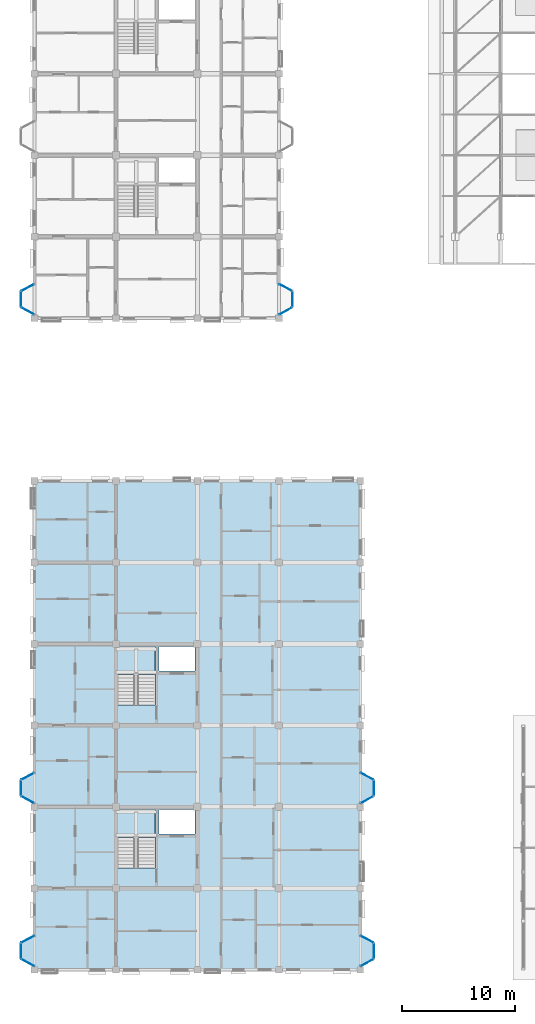
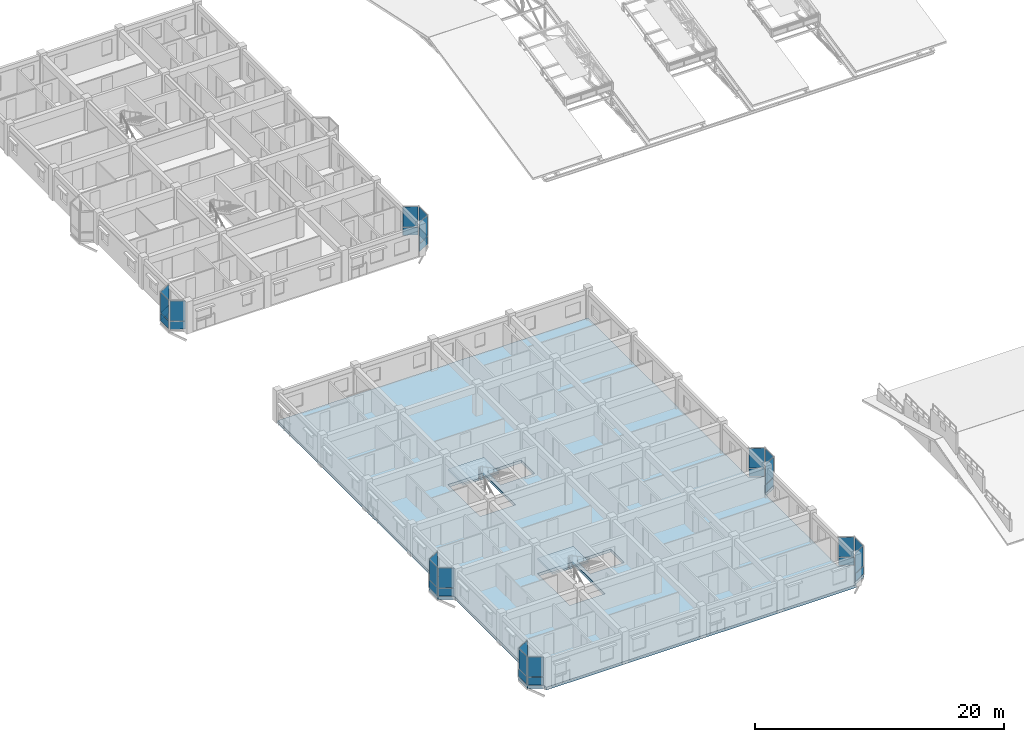
# One storey, part 77 of 124: 36 plates, 3 slabs, 20 elements without a shape of their own.
"""IFC4 building model written with IfcOpenShell, lengths in metres."""

from ifc_helpers import new_model, si_unit, direction, frame, origin, origin_2d, place, context, subcontext, project, spatial, polyline, rectangle, outline, extrude, material, layer, layer_set, type_object, element, aggregate, save


model = new_model("IFC4")

# Units and contexts
model_context = context("Model", 3, precision=1e-05, world=origin(), true_north=direction((0.0, 1.0)))
body_context = subcontext(model_context, "Body", "Model", "MODEL_VIEW")
ifc_project = project(units=[si_unit("LENGTHUNIT", "METRE"), si_unit("AREAUNIT", "SQUARE_METRE"), si_unit("VOLUMEUNIT", "CUBIC_METRE"), si_unit("PLANEANGLEUNIT", "RADIAN"), si_unit("MASSUNIT", "GRAM", prefix="KILO"), si_unit("THERMODYNAMICTEMPERATUREUNIT", "KELVIN"), si_unit("POWERUNIT", "WATT")], contexts=[model_context])

# Site, building, storey
site_placement = place(None, origin())
site = spatial("IfcSite", under=ifc_project, at=site_placement, CompositionType="ELEMENT")
building_placement = place(site_placement, origin())
building = spatial("IfcBuilding", under=site, at=building_placement, Name="Tavuni Mirador Residences", CompositionType="ELEMENT")
storey_placement = place(building_placement, frame((0.0, 0.0, 7.64990234375)))
storey = spatial("IfcBuildingStorey", under=building, at=storey_placement, Name="L02", CompositionType="ELEMENT", Elevation=7.64990234375)

# Curtain wall, plate
ifc_material_1 = material(Name="Anodised aluminium", Category="aluminium")
ifc_layer_1 = layer(ifc_material_1, 0.1650390625, Name="Anodised aluminium", Category="aluminium")
ifc_layer_set_1 = layer_set([ifc_layer_1], Name="Anodised aluminium")
curtain_wall_type_1 = type_object("IfcCurtainWallType", Name="CWT-MIR-A", PredefinedType="NOTDEFINED", material=ifc_layer_set_1)
curtain_wall_1_placement = place(storey_placement, origin())
curtain_wall_1 = element("IfcCurtainWall", 1, at=curtain_wall_1_placement, inside=storey, type_object=curtain_wall_type_1, Name="CW-MIR-A-E2-L02-M1", PredefinedType="NOTDEFINED")
ifc_material_2 = material(Name="Laminated solar-control glass", Category="glass")
ifc_layer_2 = layer(ifc_material_2, 0.02392578125, Name="Laminated solar-control glass", Category="glass")
ifc_layer_set_2 = layer_set([ifc_layer_2], Name="Laminated solar-control glass")
plate_type_1 = type_object("IfcPlateType", Name="CWP-GL24", PredefinedType="CURTAIN_PANEL", material=ifc_layer_set_2)
plate_1_placement = place(storey_placement, frame((33.0, 22.22998046875, 0.88037109375), z_axis=(0.0, 0.0, 1.0), x_axis=(0.876215908676, 0.481918749773, 0.0)))
plate_1 = element("IfcPlate", 2, at=plate_1_placement, type_object=plate_type_1, Name="CW-01 panel 1.2", PredefinedType="CURTAIN_PANEL", context=body_context, shape_type="SweptSolid", body=[
    extrude(rectangle(XDim=1.24951171875, YDim=0.02392578125, at=origin_2d()), origin(), (0.0, 0.0, 1.0), 1.929931640625),
])

curtain_wall_2_placement = place(storey_placement, origin())
curtain_wall_2 = element("IfcCurtainWall", 3, at=curtain_wall_2_placement, inside=storey, type_object=curtain_wall_type_1, Name="CW-MIR-A-W2-L02-MF", PredefinedType="NOTDEFINED")
plate_2_placement = place(storey_placement, frame((2.39990234375, 23.27001953125, 0.88037109375), z_axis=(0.0, 0.0, 1.0), x_axis=(0.0, -1.0, 0.0)))
plate_2 = element("IfcPlate", 4, at=plate_2_placement, type_object=plate_type_1, Name="CW-01 panel 1.2", PredefinedType="CURTAIN_PANEL", context=body_context, shape_type="SweptSolid", body=[
    extrude(rectangle(XDim=1.300048828125, YDim=0.02392578125, at=origin_2d()), origin(), (0.0, 0.0, 1.0), 1.929931640625),
])

curtain_wall_3_placement = place(storey_placement, origin())
curtain_wall_3 = element("IfcCurtainWall", 5, at=curtain_wall_3_placement, inside=storey, type_object=curtain_wall_type_1, Name="CW-MIR-A-W1-L02-M2", PredefinedType="NOTDEFINED")
plate_3_placement = place(storey_placement, frame((3.0, 7.830078125, 0.88037109375), z_axis=(0.0, 0.0, 1.0), x_axis=(0.876215908676, -0.481918749773, 0.0)))
plate_3 = element("IfcPlate", 6, at=plate_3_placement, type_object=plate_type_1, Name="CW-01 panel 1.2", PredefinedType="CURTAIN_PANEL", context=body_context, shape_type="SweptSolid", body=[
    extrude(rectangle(XDim=1.24951171875, YDim=0.02392578125, at=origin_2d()), origin(), (0.0, 0.0, 1.0), 1.929931640625),
])

curtain_wall_4_placement = place(storey_placement, origin())
curtain_wall_4 = element("IfcCurtainWall", 7, at=curtain_wall_4_placement, inside=storey, type_object=curtain_wall_type_1, Name="CW-MIR-B-E1-L02-M1", PredefinedType="NOTDEFINED")
plate_4_placement = place(storey_placement, frame((25.800048828125, 65.429931640625, 0.8798828125), z_axis=(0.0, 0.0, 1.0), x_axis=(0.876215908676, 0.481918749773, 0.0)))
plate_4 = element("IfcPlate", 8, at=plate_4_placement, type_object=plate_type_1, Name="CW-01 panel 1.2", PredefinedType="CURTAIN_PANEL", context=body_context, shape_type="SweptSolid", body=[
    extrude(rectangle(XDim=1.24951171875, YDim=0.02392578125, at=origin_2d()), origin(), (0.0, 0.0, 1.0), 1.969970703125),
])

ifc_layer_3 = layer(ifc_material_1, 0.14990234375, Name="Anodised aluminium", Category="aluminium")
ifc_layer_set_3 = layer_set([ifc_layer_3], Name="Anodised aluminium")
curtain_wall_type_2 = type_object("IfcCurtainWallType", Name="CWT-MIR-B", PredefinedType="NOTDEFINED", material=ifc_layer_set_3)
curtain_wall_5_placement = place(storey_placement, origin())
curtain_wall_5 = element("IfcCurtainWall", 9, at=curtain_wall_5_placement, inside=storey, type_object=curtain_wall_type_2, Name="CW-MIR-A-E1-L02-M1", PredefinedType="NOTDEFINED")
ifc_layer_4 = layer(ifc_material_2, 0.028076171875, Name="Laminated solar-control glass", Category="glass")
ifc_layer_set_4 = layer_set([ifc_layer_4], Name="Laminated solar-control glass")
plate_type_2 = type_object("IfcPlateType", Name="CWP-GL28", PredefinedType="CURTAIN_PANEL", material=ifc_layer_set_4)
plate_5_placement = place(storey_placement, frame((33.0, 7.830078125, 0.88232421875), z_axis=(0.0, 0.0, 1.0), x_axis=(0.876215908676, 0.481918749773, 0.0)))
plate_5 = element("IfcPlate", 10, at=plate_5_placement, type_object=plate_type_2, Name="CW-02 panel 1.2", PredefinedType="CURTAIN_PANEL", context=body_context, shape_type="SweptSolid", body=[
    extrude(rectangle(XDim=1.239501953125, YDim=0.028076171875, at=origin_2d()), origin(), (0.0, 0.0, 1.0), 1.922607421875),
])

curtain_wall_6_placement = place(storey_placement, origin())
curtain_wall_6 = element("IfcCurtainWall", 11, at=curtain_wall_6_placement, inside=storey, type_object=curtain_wall_type_2, Name="CW-MIR-A-E2-L02-MF", PredefinedType="NOTDEFINED")
plate_6_placement = place(storey_placement, frame((33.60009765625, 23.27001953125, 0.88232421875), z_axis=(0.0, 0.0, 1.0), x_axis=(0.0, 1.0, 0.0)))
plate_6 = element("IfcPlate", 12, at=plate_6_placement, type_object=plate_type_2, Name="CW-02 panel 1.2", PredefinedType="CURTAIN_PANEL", context=body_context, shape_type="SweptSolid", body=[
    extrude(rectangle(XDim=1.2900390625, YDim=0.028076171875, at=origin_2d()), origin(), (0.0, 0.0, 1.0), 1.922607421875),
])

curtain_wall_7_placement = place(storey_placement, origin())
curtain_wall_7 = element("IfcCurtainWall", 13, at=curtain_wall_7_placement, inside=storey, type_object=curtain_wall_type_2, Name="CW-MIR-A-W2-L02-M2", PredefinedType="NOTDEFINED")
plate_7_placement = place(storey_placement, frame((3.0, 22.22998046875, 0.88232421875), z_axis=(0.0, 0.0, 1.0), x_axis=(0.876215908676, -0.481918749773, 0.0)))
plate_7 = element("IfcPlate", 14, at=plate_7_placement, type_object=plate_type_2, Name="CW-02 panel 1.2", PredefinedType="CURTAIN_PANEL", context=body_context, shape_type="SweptSolid", body=[
    extrude(rectangle(XDim=1.239501953125, YDim=0.028076171875, at=origin_2d()), origin(), (0.0, 0.0, 1.0), 1.922607421875),
])

curtain_wall_8_placement = place(storey_placement, origin())
curtain_wall_8 = element("IfcCurtainWall", 15, at=curtain_wall_8_placement, inside=storey, type_object=curtain_wall_type_2, Name="CW-MIR-B-E1-L02-MF", PredefinedType="NOTDEFINED")
plate_8_placement = place(storey_placement, frame((26.39990234375, 66.469970703125, 0.882568359375), z_axis=(0.0, 0.0, 1.0), x_axis=(0.0, 1.0, 0.0)))
plate_8 = element("IfcPlate", 16, at=plate_8_placement, type_object=plate_type_2, Name="CW-02 panel 1.2", PredefinedType="CURTAIN_PANEL", context=body_context, shape_type="SweptSolid", body=[
    extrude(rectangle(XDim=1.2900390625, YDim=0.028076171875, at=origin_2d()), origin(), (0.0, 0.0, 1.0), 1.96240234375),
])

curtain_wall_9_placement = place(storey_placement, origin())
curtain_wall_9 = element("IfcCurtainWall", 17, at=curtain_wall_9_placement, inside=storey, type_object=curtain_wall_type_2, Name="CW-MIR-B-W1-L02-M1", PredefinedType="NOTDEFINED")
plate_9_placement = place(storey_placement, frame((3.0, 67.5, 0.882568359375), z_axis=(0.0, 0.0, 1.0), x_axis=(-0.882352941175, -0.470588235296, 0.0)))
plate_9 = element("IfcPlate", 18, at=plate_9_placement, type_object=plate_type_2, Name="CW-02 panel 1.2", PredefinedType="CURTAIN_PANEL", context=body_context, shape_type="SweptSolid", body=[
    extrude(rectangle(XDim=1.22998046875, YDim=0.028076171875, at=origin_2d()), origin(), (0.0, 0.0, 1.0), 1.96240234375),
])

ifc_layer_5 = layer(ifc_material_1, 0.175048828125, Name="Anodised aluminium", Category="aluminium")
ifc_layer_set_5 = layer_set([ifc_layer_5], Name="Anodised aluminium")
curtain_wall_type_3 = type_object("IfcCurtainWallType", Name="CWT-MIR-C", PredefinedType="NOTDEFINED", material=ifc_layer_set_5)
curtain_wall_10_placement = place(storey_placement, origin())
curtain_wall_10 = element("IfcCurtainWall", 19, at=curtain_wall_10_placement, inside=storey, type_object=curtain_wall_type_3, Name="CW-MIR-A-E1-L02-MF", PredefinedType="NOTDEFINED")
ifc_layer_6 = layer(ifc_material_2, 0.031982421875, Name="Laminated solar-control glass", Category="glass")
ifc_layer_set_6 = layer_set([ifc_layer_6], Name="Laminated solar-control glass")
plate_type_3 = type_object("IfcPlateType", Name="CWP-GL32", PredefinedType="CURTAIN_PANEL", material=ifc_layer_set_6)
plate_10_placement = place(storey_placement, frame((33.60009765625, 8.8701171875, 0.88037109375), z_axis=(0.0, 0.0, 1.0), x_axis=(0.0, 1.0, 0.0)))
plate_10 = element("IfcPlate", 20, at=plate_10_placement, type_object=plate_type_3, Name="CW-03 panel 1.2", PredefinedType="CURTAIN_PANEL", context=body_context, shape_type="SweptSolid", body=[
    extrude(rectangle(XDim=1.300048828125, YDim=0.031982421875, at=origin_2d()), origin(), (0.0, 0.0, 1.0), 1.929931640625),
])

curtain_wall_11_placement = place(storey_placement, origin())
curtain_wall_11 = element("IfcCurtainWall", 21, at=curtain_wall_11_placement, inside=storey, type_object=curtain_wall_type_3, Name="CW-MIR-A-E2-L02-M2", PredefinedType="NOTDEFINED")
plate_11_placement = place(storey_placement, frame((33.0, 24.300048828125, 0.88037109375), z_axis=(0.0, 0.0, 1.0), x_axis=(-0.882352941175, 0.470588235296, 0.0)))
plate_11 = element("IfcPlate", 22, at=plate_11_placement, type_object=plate_type_3, Name="CW-03 panel 1.2", PredefinedType="CURTAIN_PANEL", context=body_context, shape_type="SweptSolid", body=[
    extrude(rectangle(XDim=1.239990234375, YDim=0.031982421875, at=origin_2d()), origin(), (0.0, 0.0, 1.0), 1.929931640625),
])

curtain_wall_12_placement = place(storey_placement, origin())
curtain_wall_12 = element("IfcCurtainWall", 23, at=curtain_wall_12_placement, inside=storey, type_object=curtain_wall_type_3, Name="CW-MIR-A-W1-L02-M1", PredefinedType="NOTDEFINED")
plate_12_placement = place(storey_placement, frame((3.0, 9.89990234375, 0.88037109375), z_axis=(0.0, 0.0, 1.0), x_axis=(-0.882352941175, -0.470588235296, 0.0)))
plate_12 = element("IfcPlate", 24, at=plate_12_placement, type_object=plate_type_3, Name="CW-03 panel 1.2", PredefinedType="CURTAIN_PANEL", context=body_context, shape_type="SweptSolid", body=[
    extrude(rectangle(XDim=1.239990234375, YDim=0.031982421875, at=origin_2d()), origin(), (0.0, 0.0, 1.0), 1.929931640625),
])

curtain_wall_13_placement = place(storey_placement, origin())
curtain_wall_13 = element("IfcCurtainWall", 25, at=curtain_wall_13_placement, inside=storey, type_object=curtain_wall_type_3, Name="CW-MIR-B-E1-L02-M2", PredefinedType="NOTDEFINED")
plate_13_placement = place(storey_placement, frame((25.800048828125, 67.5, 0.8798828125), z_axis=(0.0, 0.0, 1.0), x_axis=(-0.882352941175, 0.470588235296, 0.0)))
plate_13 = element("IfcPlate", 26, at=plate_13_placement, type_object=plate_type_3, Name="CW-03 panel 1.2", PredefinedType="CURTAIN_PANEL", context=body_context, shape_type="SweptSolid", body=[
    extrude(rectangle(XDim=1.239990234375, YDim=0.031982421875, at=origin_2d()), origin(), (0.0, 0.0, 1.0), 1.969970703125),
])

curtain_wall_14_placement = place(storey_placement, origin())
curtain_wall_14 = element("IfcCurtainWall", 27, at=curtain_wall_14_placement, inside=storey, type_object=curtain_wall_type_3, Name="CW-MIR-B-W1-L02-MF", PredefinedType="NOTDEFINED")
plate_14_placement = place(storey_placement, frame((2.39990234375, 66.469970703125, 0.8798828125), z_axis=(0.0, 0.0, 1.0), x_axis=(0.0, -1.0, 0.0)))
plate_14 = element("IfcPlate", 28, at=plate_14_placement, type_object=plate_type_3, Name="CW-03 panel 1.2", PredefinedType="CURTAIN_PANEL", context=body_context, shape_type="SweptSolid", body=[
    extrude(rectangle(XDim=1.300048828125, YDim=0.031982421875, at=origin_2d()), origin(), (0.0, 0.0, 1.0), 1.969970703125),
])

ifc_layer_7 = layer(ifc_material_1, 0.159912109375, Name="Anodised aluminium", Category="aluminium")
ifc_layer_set_7 = layer_set([ifc_layer_7], Name="Anodised aluminium")
curtain_wall_type_4 = type_object("IfcCurtainWallType", Name="CWT-MIR-D", PredefinedType="NOTDEFINED", material=ifc_layer_set_7)
curtain_wall_15_placement = place(storey_placement, origin())
curtain_wall_15 = element("IfcCurtainWall", 29, at=curtain_wall_15_placement, inside=storey, type_object=curtain_wall_type_4, Name="CW-MIR-A-E1-L02-M2", PredefinedType="NOTDEFINED")
ifc_layer_8 = layer(ifc_material_2, 0.035888671875, Name="Laminated solar-control glass", Category="glass")
ifc_layer_set_8 = layer_set([ifc_layer_8], Name="Laminated solar-control glass")
plate_type_4 = type_object("IfcPlateType", Name="CWP-GL36", PredefinedType="CURTAIN_PANEL", material=ifc_layer_set_8)
plate_15_placement = place(storey_placement, frame((33.0, 9.89990234375, 0.88232421875), z_axis=(0.0, 0.0, 1.0), x_axis=(-0.882352941175, 0.470588235296, 0.0)))
plate_15 = element("IfcPlate", 30, at=plate_15_placement, type_object=plate_type_4, Name="CW-04 panel 1.2", PredefinedType="CURTAIN_PANEL", context=body_context, shape_type="SweptSolid", body=[
    extrude(rectangle(XDim=1.22998046875, YDim=0.035888671875, at=origin_2d()), origin(), (0.0, 0.0, 1.0), 1.922607421875),
])

curtain_wall_16_placement = place(storey_placement, origin())
curtain_wall_16 = element("IfcCurtainWall", 31, at=curtain_wall_16_placement, inside=storey, type_object=curtain_wall_type_4, Name="CW-MIR-A-W2-L02-M1", PredefinedType="NOTDEFINED")
plate_16_placement = place(storey_placement, frame((3.0, 24.300048828125, 0.88232421875), z_axis=(0.0, 0.0, 1.0), x_axis=(-0.882352941175, -0.470588235296, 0.0)))
plate_16 = element("IfcPlate", 32, at=plate_16_placement, type_object=plate_type_4, Name="CW-04 panel 1.2", PredefinedType="CURTAIN_PANEL", context=body_context, shape_type="SweptSolid", body=[
    extrude(rectangle(XDim=1.22998046875, YDim=0.035888671875, at=origin_2d()), origin(), (0.0, 0.0, 1.0), 1.922607421875),
])

curtain_wall_17_placement = place(storey_placement, origin())
curtain_wall_17 = element("IfcCurtainWall", 33, at=curtain_wall_17_placement, inside=storey, type_object=curtain_wall_type_4, Name="CW-MIR-A-W1-L02-MF", PredefinedType="NOTDEFINED")
plate_17_placement = place(storey_placement, frame((2.39990234375, 8.8701171875, 0.88232421875), z_axis=(0.0, 0.0, 1.0), x_axis=(0.0, -1.0, 0.0)))
plate_17 = element("IfcPlate", 34, at=plate_17_placement, type_object=plate_type_4, Name="CW-04 panel 1.2", PredefinedType="CURTAIN_PANEL", context=body_context, shape_type="SweptSolid", body=[
    extrude(rectangle(XDim=1.2900390625, YDim=0.035888671875, at=origin_2d()), origin(), (0.0, 0.0, 1.0), 1.922607421875),
])

curtain_wall_18_placement = place(storey_placement, origin())
curtain_wall_18 = element("IfcCurtainWall", 35, at=curtain_wall_18_placement, inside=storey, type_object=curtain_wall_type_4, Name="CW-MIR-B-W1-L02-M2", PredefinedType="NOTDEFINED")
plate_18_placement = place(storey_placement, frame((3.0, 65.429931640625, 0.882568359375), z_axis=(0.0, 0.0, 1.0), x_axis=(0.876215908676, -0.481918749773, 0.0)))
plate_18 = element("IfcPlate", 36, at=plate_18_placement, type_object=plate_type_4, Name="CW-04 panel 1.2", PredefinedType="CURTAIN_PANEL", context=body_context, shape_type="SweptSolid", body=[
    extrude(rectangle(XDim=1.239501953125, YDim=0.035888671875, at=origin_2d()), origin(), (0.0, 0.0, 1.0), 1.96240234375),
])

# Plate
ifc_material_3 = material(Name="Ceramic trencadis mosaic panel", Category="masonry")
ifc_layer_9 = layer(ifc_material_3, 0.0419921875, Name="Ceramic trencadis mosaic panel", Category="masonry")
ifc_layer_set_9 = layer_set([ifc_layer_9], Name="Ceramic trencadis mosaic panel")
plate_type_5 = type_object("IfcPlateType", Name="CWP-SP42", PredefinedType="CURTAIN_PANEL", material=ifc_layer_set_9)
plate_19_placement = place(storey_placement, frame((33.60009765625, 8.8701171875, 0.06005859375), z_axis=(0.0, 0.0, 1.0), x_axis=(0.0, 1.0, 0.0)))
plate_19 = element("IfcPlate", 37, at=plate_19_placement, type_object=plate_type_5, Name="CW-03 panel 1.1", PredefinedType="CURTAIN_PANEL", context=body_context, shape_type="SweptSolid", body=[
    extrude(rectangle(XDim=1.300048828125, YDim=0.0419921875, at=origin_2d()), origin(), (0.0, 0.0, 1.0), 0.760009765625),
])

aggregate(curtain_wall_10, [plate_19, plate_10])

plate_20_placement = place(storey_placement, frame((33.0, 22.22998046875, 0.06005859375), z_axis=(0.0, 0.0, 1.0), x_axis=(0.876215908676, 0.481918749773, 0.0)))
plate_20 = element("IfcPlate", 38, at=plate_20_placement, type_object=plate_type_5, Name="CW-01 panel 1.1", PredefinedType="CURTAIN_PANEL", context=body_context, shape_type="SweptSolid", body=[
    extrude(rectangle(XDim=1.24951171875, YDim=0.0419921875, at=origin_2d()), origin(), (0.0, 0.0, 1.0), 0.760009765625),
])

aggregate(curtain_wall_1, [plate_20, plate_1])

plate_21_placement = place(storey_placement, frame((33.0, 24.300048828125, 0.06005859375), z_axis=(0.0, 0.0, 1.0), x_axis=(-0.882352941175, 0.470588235296, 0.0)))
plate_21 = element("IfcPlate", 39, at=plate_21_placement, type_object=plate_type_5, Name="CW-03 panel 1.1", PredefinedType="CURTAIN_PANEL", context=body_context, shape_type="SweptSolid", body=[
    extrude(rectangle(XDim=1.239990234375, YDim=0.0419921875, at=origin_2d()), origin(), (0.0, 0.0, 1.0), 0.760009765625),
])

aggregate(curtain_wall_11, [plate_21, plate_11])

plate_22_placement = place(storey_placement, frame((2.39990234375, 23.27001953125, 0.06005859375), z_axis=(0.0, 0.0, 1.0), x_axis=(0.0, -1.0, 0.0)))
plate_22 = element("IfcPlate", 40, at=plate_22_placement, type_object=plate_type_5, Name="CW-01 panel 1.1", PredefinedType="CURTAIN_PANEL", context=body_context, shape_type="SweptSolid", body=[
    extrude(rectangle(XDim=1.300048828125, YDim=0.0419921875, at=origin_2d()), origin(), (0.0, 0.0, 1.0), 0.760009765625),
])

aggregate(curtain_wall_2, [plate_22, plate_2])

plate_23_placement = place(storey_placement, frame((3.0, 9.89990234375, 0.06005859375), z_axis=(0.0, 0.0, 1.0), x_axis=(-0.882352941175, -0.470588235296, 0.0)))
plate_23 = element("IfcPlate", 41, at=plate_23_placement, type_object=plate_type_5, Name="CW-03 panel 1.1", PredefinedType="CURTAIN_PANEL", context=body_context, shape_type="SweptSolid", body=[
    extrude(rectangle(XDim=1.239990234375, YDim=0.0419921875, at=origin_2d()), origin(), (0.0, 0.0, 1.0), 0.760009765625),
])

aggregate(curtain_wall_12, [plate_23, plate_12])

plate_24_placement = place(storey_placement, frame((3.0, 7.830078125, 0.06005859375), z_axis=(0.0, 0.0, 1.0), x_axis=(0.876215908676, -0.481918749773, 0.0)))
plate_24 = element("IfcPlate", 42, at=plate_24_placement, type_object=plate_type_5, Name="CW-01 panel 1.1", PredefinedType="CURTAIN_PANEL", context=body_context, shape_type="SweptSolid", body=[
    extrude(rectangle(XDim=1.24951171875, YDim=0.0419921875, at=origin_2d()), origin(), (0.0, 0.0, 1.0), 0.760009765625),
])

aggregate(curtain_wall_3, [plate_24, plate_3])

plate_25_placement = place(storey_placement, frame((25.800048828125, 65.429931640625, 0.06005859375), z_axis=(0.0, 0.0, 1.0), x_axis=(0.876215908676, 0.481918749773, 0.0)))
plate_25 = element("IfcPlate", 43, at=plate_25_placement, type_object=plate_type_5, Name="CW-01 panel 1.1", PredefinedType="CURTAIN_PANEL", context=body_context, shape_type="SweptSolid", body=[
    extrude(rectangle(XDim=1.24951171875, YDim=0.0419921875, at=origin_2d()), origin(), (0.0, 0.0, 1.0), 0.760009765625),
])

aggregate(curtain_wall_4, [plate_25, plate_4])

plate_26_placement = place(storey_placement, frame((25.800048828125, 67.5, 0.06005859375), z_axis=(0.0, 0.0, 1.0), x_axis=(-0.882352941175, 0.470588235296, 0.0)))
plate_26 = element("IfcPlate", 44, at=plate_26_placement, type_object=plate_type_5, Name="CW-03 panel 1.1", PredefinedType="CURTAIN_PANEL", context=body_context, shape_type="SweptSolid", body=[
    extrude(rectangle(XDim=1.239990234375, YDim=0.0419921875, at=origin_2d()), origin(), (0.0, 0.0, 1.0), 0.760009765625),
])

aggregate(curtain_wall_13, [plate_26, plate_13])

plate_27_placement = place(storey_placement, frame((2.39990234375, 66.469970703125, 0.06005859375), z_axis=(0.0, 0.0, 1.0), x_axis=(0.0, -1.0, 0.0)))
plate_27 = element("IfcPlate", 45, at=plate_27_placement, type_object=plate_type_5, Name="CW-03 panel 1.1", PredefinedType="CURTAIN_PANEL", context=body_context, shape_type="SweptSolid", body=[
    extrude(rectangle(XDim=1.300048828125, YDim=0.0419921875, at=origin_2d()), origin(), (0.0, 0.0, 1.0), 0.760009765625),
])

aggregate(curtain_wall_14, [plate_27, plate_14])

ifc_layer_10 = layer(ifc_material_3, 0.048095703125, Name="Ceramic trencadis mosaic panel", Category="masonry")
ifc_layer_set_10 = layer_set([ifc_layer_10], Name="Ceramic trencadis mosaic panel")
plate_type_6 = type_object("IfcPlateType", Name="CWP-SP48", PredefinedType="CURTAIN_PANEL", material=ifc_layer_set_10)
plate_28_placement = place(storey_placement, frame((33.0, 7.830078125, 0.065185546875), z_axis=(0.0, 0.0, 1.0), x_axis=(0.876215908676, 0.481918749773, 0.0)))
plate_28 = element("IfcPlate", 46, at=plate_28_placement, type_object=plate_type_6, Name="CW-02 panel 1.1", PredefinedType="CURTAIN_PANEL", context=body_context, shape_type="SweptSolid", body=[
    extrude(rectangle(XDim=1.239501953125, YDim=0.048095703125, at=origin_2d()), origin(), (0.0, 0.0, 1.0), 0.75244140625),
])

aggregate(curtain_wall_5, [plate_28, plate_5])

plate_29_placement = place(storey_placement, frame((33.0, 9.89990234375, 0.065185546875), z_axis=(0.0, 0.0, 1.0), x_axis=(-0.882352941175, 0.470588235296, 0.0)))
plate_29 = element("IfcPlate", 47, at=plate_29_placement, type_object=plate_type_6, Name="CW-04 panel 1.1", PredefinedType="CURTAIN_PANEL", context=body_context, shape_type="SweptSolid", body=[
    extrude(rectangle(XDim=1.22998046875, YDim=0.048095703125, at=origin_2d()), origin(), (0.0, 0.0, 1.0), 0.75244140625),
])

aggregate(curtain_wall_15, [plate_29, plate_15])

plate_30_placement = place(storey_placement, frame((33.60009765625, 23.27001953125, 0.065185546875), z_axis=(0.0, 0.0, 1.0), x_axis=(0.0, 1.0, 0.0)))
plate_30 = element("IfcPlate", 48, at=plate_30_placement, type_object=plate_type_6, Name="CW-02 panel 1.1", PredefinedType="CURTAIN_PANEL", context=body_context, shape_type="SweptSolid", body=[
    extrude(rectangle(XDim=1.2900390625, YDim=0.048095703125, at=origin_2d()), origin(), (0.0, 0.0, 1.0), 0.75244140625),
])

aggregate(curtain_wall_6, [plate_30, plate_6])

plate_31_placement = place(storey_placement, frame((3.0, 24.300048828125, 0.065185546875), z_axis=(0.0, 0.0, 1.0), x_axis=(-0.882352941175, -0.470588235296, 0.0)))
plate_31 = element("IfcPlate", 49, at=plate_31_placement, type_object=plate_type_6, Name="CW-04 panel 1.1", PredefinedType="CURTAIN_PANEL", context=body_context, shape_type="SweptSolid", body=[
    extrude(rectangle(XDim=1.22998046875, YDim=0.048095703125, at=origin_2d()), origin(), (0.0, 0.0, 1.0), 0.75244140625),
])

aggregate(curtain_wall_16, [plate_31, plate_16])

plate_32_placement = place(storey_placement, frame((3.0, 22.22998046875, 0.065185546875), z_axis=(0.0, 0.0, 1.0), x_axis=(0.876215908676, -0.481918749773, 0.0)))
plate_32 = element("IfcPlate", 50, at=plate_32_placement, type_object=plate_type_6, Name="CW-02 panel 1.1", PredefinedType="CURTAIN_PANEL", context=body_context, shape_type="SweptSolid", body=[
    extrude(rectangle(XDim=1.239501953125, YDim=0.048095703125, at=origin_2d()), origin(), (0.0, 0.0, 1.0), 0.75244140625),
])

aggregate(curtain_wall_7, [plate_32, plate_7])

plate_33_placement = place(storey_placement, frame((2.39990234375, 8.8701171875, 0.065185546875), z_axis=(0.0, 0.0, 1.0), x_axis=(0.0, -1.0, 0.0)))
plate_33 = element("IfcPlate", 51, at=plate_33_placement, type_object=plate_type_6, Name="CW-04 panel 1.1", PredefinedType="CURTAIN_PANEL", context=body_context, shape_type="SweptSolid", body=[
    extrude(rectangle(XDim=1.2900390625, YDim=0.048095703125, at=origin_2d()), origin(), (0.0, 0.0, 1.0), 0.75244140625),
])

aggregate(curtain_wall_17, [plate_33, plate_17])

plate_34_placement = place(storey_placement, frame((26.39990234375, 66.469970703125, 0.065185546875), z_axis=(0.0, 0.0, 1.0), x_axis=(0.0, 1.0, 0.0)))
plate_34 = element("IfcPlate", 52, at=plate_34_placement, type_object=plate_type_6, Name="CW-02 panel 1.1", PredefinedType="CURTAIN_PANEL", context=body_context, shape_type="SweptSolid", body=[
    extrude(rectangle(XDim=1.2900390625, YDim=0.048095703125, at=origin_2d()), origin(), (0.0, 0.0, 1.0), 0.75244140625),
])

aggregate(curtain_wall_8, [plate_34, plate_8])

plate_35_placement = place(storey_placement, frame((3.0, 67.5, 0.065185546875), z_axis=(0.0, 0.0, 1.0), x_axis=(-0.882352941175, -0.470588235296, 0.0)))
plate_35 = element("IfcPlate", 53, at=plate_35_placement, type_object=plate_type_6, Name="CW-02 panel 1.1", PredefinedType="CURTAIN_PANEL", context=body_context, shape_type="SweptSolid", body=[
    extrude(rectangle(XDim=1.22998046875, YDim=0.048095703125, at=origin_2d()), origin(), (0.0, 0.0, 1.0), 0.75244140625),
])

aggregate(curtain_wall_9, [plate_35, plate_9])

plate_36_placement = place(storey_placement, frame((3.0, 65.429931640625, 0.065185546875), z_axis=(0.0, 0.0, 1.0), x_axis=(0.876215908676, -0.481918749773, 0.0)))
plate_36 = element("IfcPlate", 54, at=plate_36_placement, type_object=plate_type_6, Name="CW-04 panel 1.1", PredefinedType="CURTAIN_PANEL", context=body_context, shape_type="SweptSolid", body=[
    extrude(rectangle(XDim=1.239501953125, YDim=0.048095703125, at=origin_2d()), origin(), (0.0, 0.0, 1.0), 0.75244140625),
])

aggregate(curtain_wall_18, [plate_36, plate_18])

# Slab
ifc_material_4 = material(Name="Prestressed concrete C45/55", Category="concrete")
ifc_layer_11 = layer(ifc_material_4, 0.280029296875, Name="Prestressed concrete C45/55", Category="concrete")
ifc_layer_set_11 = layer_set([ifc_layer_11], Name="Prestressed concrete C45/55")
slab_type_1 = type_object("IfcSlabType", Name="SLT-FLR280", PredefinedType="FLOOR", material=ifc_layer_set_11)
slab_1_placement = place(storey_placement, frame((0.0, 0.0, -0.27978515625)))
element("IfcSlab", 55, at=slab_1_placement, inside=storey, type_object=slab_type_1, Name="SLB-BLK-A-L02", PredefinedType="FLOOR", context=body_context, shape_type="SweptSolid", body=[
    extrude(outline(polyline([(3.60009765625, 7.199951171875), (32.39990234375, 7.199951171875), (32.39990234375, 7.5), (33.60009765625, 8.159912109375), (33.60009765625, 9.580078125), (32.39990234375, 10.219970703125), (32.39990234375, 21.89990234375), (33.60009765625, 22.56005859375), (33.60009765625, 23.97998046875), (32.39990234375, 24.6201171875), (32.39990234375, 50.39990234375), (3.60009765625, 50.39990234375), (3.60009765625, 24.6201171875), (2.39990234375, 23.97998046875), (2.39990234375, 22.56005859375), (3.60009765625, 21.89990234375), (3.60009765625, 10.219970703125), (2.39990234375, 9.580078125), (2.39990234375, 8.159912109375), (3.60009765625, 7.5), (3.60009765625, 7.199951171875)]), holes=[polyline([(10.9599609375, 16.2080078125), (14.239990234375, 16.2080078125), (14.239990234375, 21.360107421875), (10.9599609375, 21.360107421875), (10.9599609375, 16.2080078125)]), polyline([(14.6201171875, 19.219970703125), (17.780029296875, 19.219970703125), (17.780029296875, 21.3798828125), (14.6201171875, 21.3798828125), (14.6201171875, 19.219970703125)]), polyline([(10.9599609375, 30.60791015625), (14.239990234375, 30.60791015625), (14.239990234375, 35.760009765625), (10.9599609375, 35.760009765625), (10.9599609375, 30.60791015625)]), polyline([(14.6201171875, 33.6201171875), (17.780029296875, 33.6201171875), (17.780029296875, 35.780029296875), (14.6201171875, 35.780029296875), (14.6201171875, 33.6201171875)])]), origin(), (0.0, 0.0, 1.0), 0.27978515625),
])

# Stair, slab
ifc_material_5 = material(Name="Precast concrete C40/50", Category="concrete")
stair_type = type_object("IfcStairType", Name="STT-TYP", PredefinedType="HALF_TURN_STAIR", material=ifc_material_5)
stair_1_placement = place(storey_placement, origin())
stair_1 = element("IfcStair", 56, at=stair_1_placement, inside=storey, type_object=stair_type, Name="Protected exit stair ST1 (L02)", PredefinedType="HALF_TURN_STAIR")
ifc_layer_12 = layer(ifc_material_5, 0.179931640625, Name="Precast concrete C40/50", Category="concrete")
ifc_layer_set_12 = layer_set([ifc_layer_12], Name="Precast concrete C40/50")
slab_type_2 = type_object("IfcSlabType", Name="SLT-LND180", PredefinedType="LANDING", material=ifc_layer_set_12)
slab_2_placement = place(storey_placement, frame((0.0, 0.0, 1.39501953125)))
slab_2 = element("IfcSlab", 57, at=slab_2_placement, type_object=slab_type_2, Name="ST1 landing 1", PredefinedType="LANDING", context=body_context, shape_type="SweptSolid", body=[
    extrude(outline(polyline([(10.93994140625, 18.89208984375), (14.260009765625, 18.89208984375), (14.260009765625, 21.300048828125), (10.93994140625, 21.300048828125), (10.93994140625, 18.89208984375)])), origin(), (0.0, 0.0, 1.0), 0.18017578125),
])
aggregate(stair_1, [slab_2])

stair_2_placement = place(storey_placement, origin())
stair_2 = element("IfcStair", 58, at=stair_2_placement, inside=storey, type_object=stair_type, Name="Protected exit stair ST2 (L02)", PredefinedType="HALF_TURN_STAIR")
slab_3_placement = place(storey_placement, frame((0.0, 0.0, 1.39501953125)))
slab_3 = element("IfcSlab", 59, at=slab_3_placement, type_object=slab_type_2, Name="ST2 landing 1", PredefinedType="LANDING", context=body_context, shape_type="SweptSolid", body=[
    extrude(outline(polyline([(10.93994140625, 33.2919921875), (14.260009765625, 33.2919921875), (14.260009765625, 35.699951171875), (10.93994140625, 35.699951171875), (10.93994140625, 33.2919921875)])), origin(), (0.0, 0.0, 1.0), 0.18017578125),
])
aggregate(stair_2, [slab_3])

save(model, "model.ifc")
